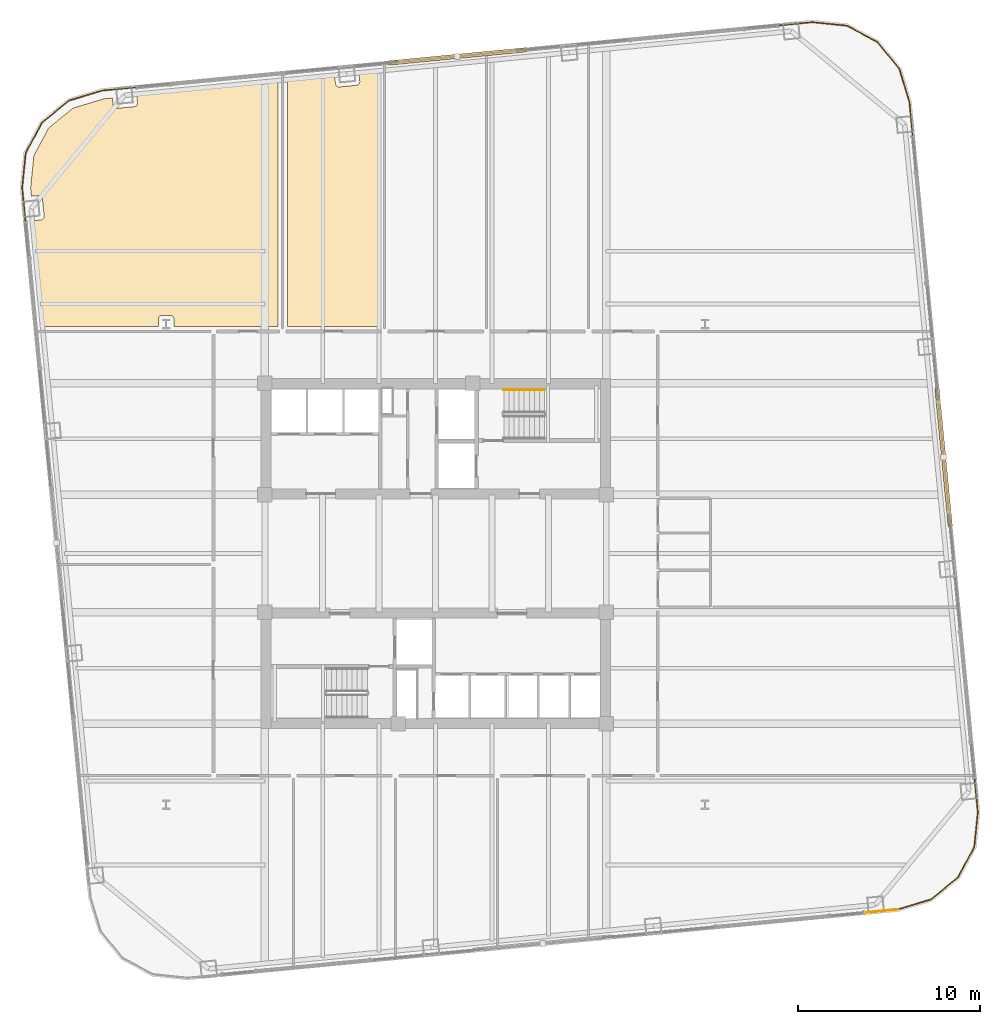
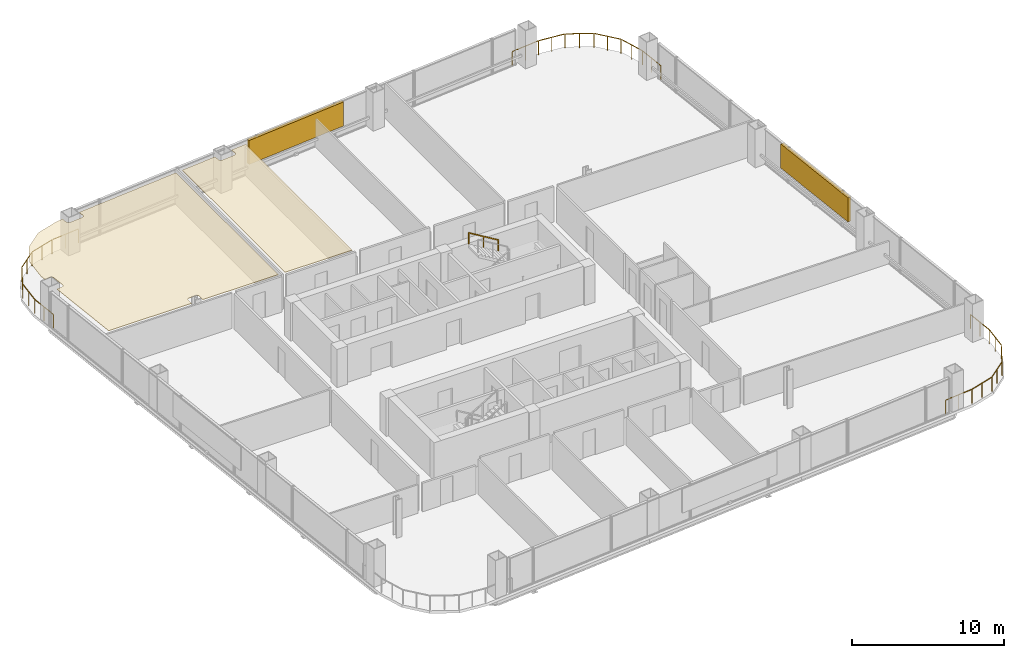
# One storey, part 34 of 34: 5 railings, 2 coverings, 2 shading devices.
"""IFC4 building model written with IfcOpenShell, lengths in metres."""

from ifc_helpers import new_model, si_unit, direction, frame, origin, origin_2d, place, context, subcontext, project, spatial, polyline, rectangle, outline, extrude, material, layer, layer_set, type_object, element, save


model = new_model("IFC4")

# Units and contexts
model_context = context("Model", 3, precision=1e-05, world=origin(), true_north=direction((0.0, 1.0)))
body_context = subcontext(model_context, "Body", "Model", "MODEL_VIEW")
ifc_project = project(units=[si_unit("LENGTHUNIT", "METRE"), si_unit("AREAUNIT", "SQUARE_METRE"), si_unit("VOLUMEUNIT", "CUBIC_METRE"), si_unit("PLANEANGLEUNIT", "RADIAN"), si_unit("MASSUNIT", "GRAM", prefix="KILO")], contexts=[model_context])

# Site, building, storey
site_placement = place(None, origin())
site = spatial("IfcSite", under=ifc_project, at=site_placement, CompositionType="ELEMENT")
building_placement = place(site_placement, origin())
building = spatial("IfcBuilding", under=site, at=building_placement, Name="Qhalaya Broadcast Tower", CompositionType="ELEMENT")
storey_placement = place(building_placement, frame((0.0, 0.0, 78.60009765625)))
storey = spatial("IfcBuildingStorey", under=building, at=storey_placement, Name="L22", CompositionType="ELEMENT", Elevation=78.60009765625)

# Coverings
ifc_material_1 = material(Name="Acoustic Mineral-Fibre Ceiling")
ifc_layer = layer(ifc_material_1, 0.0400390625, Name="Acoustic Mineral-Fibre Ceiling")
ifc_layer_set = layer_set([ifc_layer], Name="Acoustic Mineral-Fibre Ceiling")
covering_type = type_object("IfcCoveringType", Name="Acoustic Mineral-Fibre Suspended Ceiling CLG-01", PredefinedType="CEILING", material=ifc_layer_set)
covering_1_placement = place(storey_placement, frame((0.0, 0.0, 2.789794921875)))
element("IfcCovering", 1, at=covering_1_placement, inside=storey, type_object=covering_type, Name="L22 Acoustic Suspended Ceiling 01", PredefinedType="CEILING", context=body_context, shape_type="SweptSolid", body=[
    extrude(outline(polyline([(-22.06884765625, 18.885986328125), (-21.5078125, 13.06005859375), (-15.22900390625, 13.06005859375), (-15.22900390625, 13.47509765625), (-15.22802734375, 13.49462890625), (-15.22509765625, 13.513916015625), (-15.220458984375, 13.533203125), (-15.2138671875, 13.551513671875), (-15.205322265625, 13.5693359375), (-15.1953125, 13.586181640625), (-15.18359375, 13.601806640625), (-15.17041015625, 13.616455078125), (-15.156005859375, 13.629638671875), (-15.14013671875, 13.641357421875), (-15.123291015625, 13.6513671875), (-15.10546875, 13.659912109375), (-15.087158203125, 13.66650390625), (-15.068115234375, 13.671142578125), (-15.048583984375, 13.674072265625), (-15.029052734375, 13.675048828125), (-14.571044921875, 13.675048828125), (-14.551513671875, 13.674072265625), (-14.531982421875, 13.671142578125), (-14.512939453125, 13.66650390625), (-14.494384765625, 13.659912109375), (-14.476806640625, 13.6513671875), (-14.4599609375, 13.641357421875), (-14.444091796875, 13.629638671875), (-14.4296875, 13.616455078125), (-14.41650390625, 13.601806640625), (-14.40478515625, 13.586181640625), (-14.39453125, 13.5693359375), (-14.38623046875, 13.551513671875), (-14.379638671875, 13.533203125), (-14.374755859375, 13.513916015625), (-14.3720703125, 13.49462890625), (-14.37109375, 13.47509765625), (-14.37109375, 13.06005859375), (-8.659912109375, 13.06005859375), (-8.659912109375, 26.496337890625), (-16.41064453125, 25.75), (-16.373291015625, 25.36181640625), (-16.372314453125, 25.34228515625), (-16.373291015625, 25.32275390625), (-16.376220703125, 25.30322265625), (-16.381103515625, 25.2841796875), (-16.3876953125, 25.265869140625), (-16.39599609375, 25.248046875), (-16.40625, 25.231201171875), (-16.41796875, 25.215576171875), (-16.43115234375, 25.200927734375), (-16.44580078125, 25.187744140625), (-16.46142578125, 25.17626953125), (-16.478515625, 25.166015625), (-16.49609375, 25.15771484375), (-16.5146484375, 25.151123046875), (-16.53369140625, 25.146484375), (-16.552978515625, 25.1435546875), (-17.48876953125, 25.053466796875), (-17.50830078125, 25.052490234375), (-17.528076171875, 25.0537109375), (-17.54736328125, 25.056396484375), (-17.56640625, 25.061279296875), (-17.5849609375, 25.068115234375), (-17.602783203125, 25.076416015625), (-17.619384765625, 25.08642578125), (-17.63525390625, 25.098388671875), (-17.649658203125, 25.111572265625), (-17.662841796875, 25.126220703125), (-17.674560546875, 25.141845703125), (-17.6845703125, 25.15869140625), (-17.69287109375, 25.176513671875), (-17.699462890625, 25.19482421875), (-17.7041015625, 25.214111328125), (-17.70703125, 25.2333984375), (-17.744384765625, 25.62158203125), (-18.215087890625, 25.576416015625), (-19.918212890625, 25.063720703125), (-21.250244140625, 23.9755859375), (-22.064453125, 22.460205078125), (-22.242431640625, 20.69091796875), (-22.197265625, 20.219970703125), (-21.80908203125, 20.25732421875), (-21.789306640625, 20.25830078125), (-21.769775390625, 20.25732421875), (-21.75048828125, 20.25439453125), (-21.731201171875, 20.24951171875), (-21.712890625, 20.242919921875), (-21.695068359375, 20.234619140625), (-21.67822265625, 20.224365234375), (-21.66259765625, 20.212646484375), (-21.648193359375, 20.199462890625), (-21.635009765625, 20.184814453125), (-21.623291015625, 20.169189453125), (-21.61328125, 20.152099609375), (-21.60498046875, 20.134521484375), (-21.598388671875, 20.115966796875), (-21.593505859375, 20.096923828125), (-21.5908203125, 20.077392578125), (-21.50048828125, 19.141845703125), (-21.499755859375, 19.122314453125), (-21.500732421875, 19.1025390625), (-21.503662109375, 19.083251953125), (-21.50830078125, 19.064208984375), (-21.51513671875, 19.045654296875), (-21.5234375, 19.02783203125), (-21.53369140625, 19.010986328125), (-21.54541015625, 18.995361328125), (-21.55859375, 18.98095703125), (-21.5732421875, 18.9677734375), (-21.5888671875, 18.9560546875), (-21.605712890625, 18.946044921875), (-21.62353515625, 18.937744140625), (-21.64208984375, 18.93115234375), (-21.6611328125, 18.926513671875), (-21.680419921875, 18.923583984375), (-22.06884765625, 18.885986328125)])), origin(), (0.0, 0.0, 1.0), 0.0400390625),
])
covering_2_placement = place(storey_placement, frame((0.0, 0.0, 2.789794921875)))
element("IfcCovering", 2, at=covering_2_placement, inside=storey, type_object=covering_type, Name="L22 Acoustic Suspended Ceiling 02", PredefinedType="CEILING", context=body_context, shape_type="SweptSolid", body=[
    extrude(outline(polyline([(-8.139892578125, 26.54638671875), (-8.139892578125, 13.06005859375), (-3.06005859375, 13.06005859375), (-3.06005859375, 27.03564453125), (-4.200439453125, 26.92578125), (-4.1630859375, 26.53759765625), (-4.162109375, 26.51806640625), (-4.1630859375, 26.498291015625), (-4.166015625, 26.47900390625), (-4.1708984375, 26.4599609375), (-4.177490234375, 26.44140625), (-4.185791015625, 26.423583984375), (-4.196044921875, 26.406982421875), (-4.207763671875, 26.39111328125), (-4.220947265625, 26.376708984375), (-4.235595703125, 26.363525390625), (-4.251220703125, 26.351806640625), (-4.268310546875, 26.341796875), (-4.285888671875, 26.33349609375), (-4.304443359375, 26.326904296875), (-4.323486328125, 26.322265625), (-4.343017578125, 26.3193359375), (-5.278564453125, 26.229248046875), (-5.298095703125, 26.228271484375), (-5.31787109375, 26.229248046875), (-5.337158203125, 26.232177734375), (-5.356201171875, 26.237060546875), (-5.374755859375, 26.24365234375), (-5.392578125, 26.252197265625), (-5.4091796875, 26.26220703125), (-5.425048828125, 26.27392578125), (-5.439453125, 26.287109375), (-5.45263671875, 26.3017578125), (-5.46435546875, 26.3173828125), (-5.474365234375, 26.33447265625), (-5.482666015625, 26.352294921875), (-5.4892578125, 26.37060546875), (-5.493896484375, 26.3896484375), (-5.496826171875, 26.4091796875), (-5.5341796875, 26.79736328125), (-8.139892578125, 26.54638671875)])), origin(), (0.0, 0.0, 1.0), 0.0400390625),
])

# Railings
ifc_material_2 = material(Name="Powder-Coated Galvanised Steel", Category="steel")
railing_type_1 = type_object("IfcRailingType", Name="Stair Wall Handrail 900", PredefinedType="HANDRAIL", material=ifc_material_2)
railing_1_placement = place(storey_placement, frame((5.989990234375, 9.590087890625, 1.6943359375)))
element("IfcRailing", 3, at=railing_1_placement, inside=storey, type_object=railing_type_1, Name="L22 ST-1 Stair Handrail 2", PredefinedType="HANDRAIL", context=body_context, shape_type="SweptSolid", body=[
    extrude(rectangle(XDim=0.048095703125, YDim=0.048095703125, at=origin_2d()), frame((0.0, 0.0, 0.8759765625), z_axis=(-0.855553338991, 0.0, 0.51771467445), x_axis=(0.0, -1.0, 0.0)), (0.0, 0.0, 1.0), 2.6181640625),
    extrude(rectangle(XDim=0.0419921875, YDim=0.0419921875, at=origin_2d()), origin(), (0.0, 0.0, 1.0), 0.849853515625),
    extrude(rectangle(XDim=0.0419921875, YDim=0.0419921875, at=origin_2d()), frame((-1.1201171875, 0.0, 0.677734375)), (0.0, 0.0, 1.0), 0.849853515625),
    extrude(rectangle(XDim=0.0419921875, YDim=0.0419921875, at=origin_2d()), frame((-2.239990234375, 0.0, 1.35546875)), (0.0, 0.0, 1.0), 0.849853515625),
])
railing_type_2 = type_object("IfcRailingType", Name="Terrace, Sky-Pool & Lookout Glass Balustrade 1150", PredefinedType="BALUSTRADE", material=ifc_material_2)
railing_2_placement = place(storey_placement, frame((25.38427734375, -18.949951171875, 0.0)))
element("IfcRailing", 4, at=railing_2_placement, inside=storey, type_object=railing_type_2, Name="L22 Rounded Corner Perimeter Guard 01", PredefinedType="BALUSTRADE", context=body_context, shape_type="SweptSolid", body=[
    extrude(rectangle(XDim=0.048095703125, YDim=0.048095703125, at=origin_2d()), frame((0.0, 0.0, 1.1259765625), z_axis=(-0.995402268864, -0.095782687057, 0.0), x_axis=(0.095782687057, -0.995402268864, 0.0)), (0.0, 0.0, 1.0), 2.1181640625),
    extrude(rectangle(XDim=0.0419921875, YDim=0.0419921875, at=origin_2d()), origin(), (0.0, 0.0, 1.0), 1.099853515625),
    extrude(rectangle(XDim=0.0419921875, YDim=0.0419921875, at=origin_2d()), frame((-1.05419921875, -0.1015625, 0.0)), (0.0, 0.0, 1.0), 1.099853515625),
    extrude(rectangle(XDim=0.0419921875, YDim=0.0419921875, at=origin_2d()), frame((-2.1083984375, -0.202880859375, 0.0)), (0.0, 0.0, 1.0), 1.099853515625),
])
railing_3_placement = place(storey_placement, frame((-22.501708984375, 18.583251953125, 0.0)))
element("IfcRailing", 5, at=railing_3_placement, inside=storey, type_object=railing_type_2, Name="L22 Rounded Corner Perimeter Guard 03", PredefinedType="BALUSTRADE", context=body_context, shape_type="SweptSolid", body=[
    extrude(rectangle(XDim=0.048095703125, YDim=0.048095703125, at=origin_2d()), frame((0.0, 0.0, 1.1259765625), z_axis=(-0.095782687057, 0.995402268864, 0.0), x_axis=(-0.995402268864, -0.095782687057, 0.0)), (0.0, 0.0, 1.0), 2.08935546875),
    extrude(rectangle(XDim=0.048095703125, YDim=0.048095703125, at=origin_2d()), frame((-0.199951171875, 2.13720703125, 1.1259765625), z_axis=(0.100071682341, 0.994980230152, 0.0), x_axis=(-0.994980230152, 0.100071682341, 0.0)), (0.0, 0.0, 1.0), 1.857421875),
    extrude(rectangle(XDim=0.048095703125, YDim=0.048095703125, at=origin_2d()), frame((0.00244140625, 4.039306640625, 1.1259765625), z_axis=(0.473342342286, 0.880878554058, 0.0), x_axis=(-0.880878554058, 0.473342342286, 0.0)), (0.0, 0.0, 1.0), 1.845458984375),
    extrude(rectangle(XDim=0.048095703125, YDim=0.048095703125, at=origin_2d()), frame((0.912109375, 5.708740234375, 1.1259765625), z_axis=(0.774420039683, 0.632671796541, 0.0), x_axis=(-0.632671796541, 0.774420039683, 0.0)), (0.0, 0.0, 1.0), 1.845458984375),
    extrude(rectangle(XDim=0.048095703125, YDim=0.048095703125, at=origin_2d()), frame((2.39111328125, 6.90283203125, 1.1259765625), z_axis=(0.95756627332, 0.288213171456, 0.0), x_axis=(-0.288213171456, 0.95756627332, 0.0)), (0.0, 0.0, 1.0), 1.857421875),
    extrude(rectangle(XDim=0.048095703125, YDim=0.048095703125, at=origin_2d()), frame((4.226318359375, 7.44921875, 1.1259765625), z_axis=(0.995391273094, 0.095896889673, 0.0), x_axis=(-0.095896889673, 0.995391273094, 0.0)), (0.0, 0.0, 1.0), 2.08935546875),
    extrude(rectangle(XDim=0.0419921875, YDim=0.0419921875, at=origin_2d()), origin(), (0.0, 0.0, 1.0), 1.099853515625),
    extrude(rectangle(XDim=0.0419921875, YDim=0.0419921875, at=origin_2d()), frame((-0.1015625, 1.05419921875, 0.0)), (0.0, 0.0, 1.0), 1.099853515625),
    extrude(rectangle(XDim=0.0419921875, YDim=0.0419921875, at=origin_2d()), frame((-0.202880859375, 2.1083984375, 0.0)), (0.0, 0.0, 1.0), 1.099853515625),
    extrude(rectangle(XDim=0.0419921875, YDim=0.0419921875, at=origin_2d()), frame((-0.10693359375, 3.06103515625, 0.0)), (0.0, 0.0, 1.0), 1.099853515625),
    extrude(rectangle(XDim=0.0419921875, YDim=0.0419921875, at=origin_2d()), frame((-0.01123046875, 4.013916015625, 0.0)), (0.0, 0.0, 1.0), 1.099853515625),
    extrude(rectangle(XDim=0.0419921875, YDim=0.0419921875, at=origin_2d()), frame((0.439208984375, 4.85205078125, 0.0)), (0.0, 0.0, 1.0), 1.099853515625),
    extrude(rectangle(XDim=0.0419921875, YDim=0.0419921875, at=origin_2d()), frame((0.8896484375, 5.6904296875, 0.0)), (0.0, 0.0, 1.0), 1.099853515625),
    extrude(rectangle(XDim=0.0419921875, YDim=0.0419921875, at=origin_2d()), frame((1.62646484375, 6.29248046875, 0.0)), (0.0, 0.0, 1.0), 1.099853515625),
    extrude(rectangle(XDim=0.0419921875, YDim=0.0419921875, at=origin_2d()), frame((2.363525390625, 6.89453125, 0.0)), (0.0, 0.0, 1.0), 1.099853515625),
    extrude(rectangle(XDim=0.0419921875, YDim=0.0419921875, at=origin_2d()), frame((3.280517578125, 7.17041015625, 0.0)), (0.0, 0.0, 1.0), 1.099853515625),
    extrude(rectangle(XDim=0.0419921875, YDim=0.0419921875, at=origin_2d()), frame((4.197509765625, 7.446533203125, 0.0)), (0.0, 0.0, 1.0), 1.099853515625),
    extrude(rectangle(XDim=0.0419921875, YDim=0.0419921875, at=origin_2d()), frame((5.251708984375, 7.548095703125, 0.0)), (0.0, 0.0, 1.0), 1.099853515625),
    extrude(rectangle(XDim=0.0419921875, YDim=0.0419921875, at=origin_2d()), frame((6.305908203125, 7.649658203125, 0.0)), (0.0, 0.0, 1.0), 1.099853515625),
])
railing_4_placement = place(storey_placement, frame((18.583251953125, 29.581787109375, 0.0)))
element("IfcRailing", 6, at=railing_4_placement, inside=storey, type_object=railing_type_2, Name="L22 Rounded Corner Perimeter Guard 04", PredefinedType="BALUSTRADE", context=body_context, shape_type="SweptSolid", body=[
    extrude(rectangle(XDim=0.048095703125, YDim=0.048095703125, at=origin_2d()), frame((0.0, 0.0, 1.1259765625), z_axis=(0.995402268864, 0.095782687057, 0.0), x_axis=(-0.095782687057, 0.995402268864, 0.0)), (0.0, 0.0, 1.0), 2.08935546875),
    extrude(rectangle(XDim=0.048095703125, YDim=0.048095703125, at=origin_2d()), frame((2.13720703125, 0.199951171875, 1.1259765625), z_axis=(0.994980230152, -0.100071682341, 0.0), x_axis=(0.100071682341, 0.994980230152, 0.0)), (0.0, 0.0, 1.0), 1.857421875),
    extrude(rectangle(XDim=0.048095703125, YDim=0.048095703125, at=origin_2d()), frame((4.039306640625, -0.00244140625, 1.1259765625), z_axis=(0.880878554058, -0.473342342286, 0.0), x_axis=(0.473342342286, 0.880878554058, 0.0)), (0.0, 0.0, 1.0), 1.845458984375),
    extrude(rectangle(XDim=0.048095703125, YDim=0.048095703125, at=origin_2d()), frame((5.708740234375, -0.912109375, 1.1259765625), z_axis=(0.632671796541, -0.774420039683, 0.0), x_axis=(0.774420039683, 0.632671796541, 0.0)), (0.0, 0.0, 1.0), 1.845458984375),
    extrude(rectangle(XDim=0.048095703125, YDim=0.048095703125, at=origin_2d()), frame((6.90283203125, -2.39111328125, 1.1259765625), z_axis=(0.288213171456, -0.95756627332, 0.0), x_axis=(0.95756627332, 0.288213171456, 0.0)), (0.0, 0.0, 1.0), 1.857421875),
    extrude(rectangle(XDim=0.048095703125, YDim=0.048095703125, at=origin_2d()), frame((7.44921875, -4.226318359375, 1.1259765625), z_axis=(0.095896889673, -0.995391273094, 0.0), x_axis=(0.995391273094, 0.095896889673, 0.0)), (0.0, 0.0, 1.0), 2.08935546875),
    extrude(rectangle(XDim=0.0419921875, YDim=0.0419921875, at=origin_2d()), origin(), (0.0, 0.0, 1.0), 1.099853515625),
    extrude(rectangle(XDim=0.0419921875, YDim=0.0419921875, at=origin_2d()), frame((1.05419921875, 0.1015625, 0.0)), (0.0, 0.0, 1.0), 1.099853515625),
    extrude(rectangle(XDim=0.0419921875, YDim=0.0419921875, at=origin_2d()), frame((2.1083984375, 0.202880859375, 0.0)), (0.0, 0.0, 1.0), 1.099853515625),
    extrude(rectangle(XDim=0.0419921875, YDim=0.0419921875, at=origin_2d()), frame((3.06103515625, 0.10693359375, 0.0)), (0.0, 0.0, 1.0), 1.099853515625),
    extrude(rectangle(XDim=0.0419921875, YDim=0.0419921875, at=origin_2d()), frame((4.013916015625, 0.01123046875, 0.0)), (0.0, 0.0, 1.0), 1.099853515625),
    extrude(rectangle(XDim=0.0419921875, YDim=0.0419921875, at=origin_2d()), frame((4.85205078125, -0.439208984375, 0.0)), (0.0, 0.0, 1.0), 1.099853515625),
    extrude(rectangle(XDim=0.0419921875, YDim=0.0419921875, at=origin_2d()), frame((5.6904296875, -0.8896484375, 0.0)), (0.0, 0.0, 1.0), 1.099853515625),
    extrude(rectangle(XDim=0.0419921875, YDim=0.0419921875, at=origin_2d()), frame((6.29248046875, -1.62646484375, 0.0)), (0.0, 0.0, 1.0), 1.099853515625),
    extrude(rectangle(XDim=0.0419921875, YDim=0.0419921875, at=origin_2d()), frame((6.89453125, -2.363525390625, 0.0)), (0.0, 0.0, 1.0), 1.099853515625),
    extrude(rectangle(XDim=0.0419921875, YDim=0.0419921875, at=origin_2d()), frame((7.17041015625, -3.280517578125, 0.0)), (0.0, 0.0, 1.0), 1.099853515625),
    extrude(rectangle(XDim=0.0419921875, YDim=0.0419921875, at=origin_2d()), frame((7.446533203125, -4.197509765625, 0.0)), (0.0, 0.0, 1.0), 1.099853515625),
    extrude(rectangle(XDim=0.0419921875, YDim=0.0419921875, at=origin_2d()), frame((7.548095703125, -5.251708984375, 0.0)), (0.0, 0.0, 1.0), 1.099853515625),
    extrude(rectangle(XDim=0.0419921875, YDim=0.0419921875, at=origin_2d()), frame((7.649658203125, -6.305908203125, 0.0)), (0.0, 0.0, 1.0), 1.099853515625),
])
railing_5_placement = place(storey_placement, frame((29.581787109375, -11.50341796875, 0.0)))
element("IfcRailing", 7, at=railing_5_placement, inside=storey, type_object=railing_type_2, Name="L22 Rounded Corner Perimeter Guard 05", PredefinedType="BALUSTRADE", context=body_context, shape_type="SweptSolid", body=[
    extrude(rectangle(XDim=0.048095703125, YDim=0.048095703125, at=origin_2d()), frame((0.0, 0.0, 1.1259765625), z_axis=(0.095782687057, -0.995402268864, 0.0), x_axis=(0.995402268864, 0.095782687057, 0.0)), (0.0, 0.0, 1.0), 2.08935546875),
    extrude(rectangle(XDim=0.048095703125, YDim=0.048095703125, at=origin_2d()), frame((0.199951171875, -2.13720703125, 1.1259765625), z_axis=(-0.100084377028, -0.994978953282, 0.0), x_axis=(0.994978953282, -0.100084377028, 0.0)), (0.0, 0.0, 1.0), 1.857177734375),
    extrude(rectangle(XDim=0.048095703125, YDim=0.048095703125, at=origin_2d()), frame((-0.00244140625, -4.0390625, 1.1259765625), z_axis=(-0.473288861424, -0.880907290044, 0.0), x_axis=(0.880907290044, -0.473288861424, 0.0)), (0.0, 0.0, 1.0), 1.845703125),
    extrude(rectangle(XDim=0.048095703125, YDim=0.048095703125, at=origin_2d()), frame((-0.912109375, -5.708740234375, 1.1259765625), z_axis=(-0.774420039683, -0.632671796541, 0.0), x_axis=(0.632671796541, -0.774420039683, 0.0)), (0.0, 0.0, 1.0), 1.845458984375),
    extrude(rectangle(XDim=0.048095703125, YDim=0.048095703125, at=origin_2d()), frame((-2.39111328125, -6.90283203125, 1.1259765625), z_axis=(-0.95756627332, -0.288213171456, 0.0), x_axis=(0.288213171456, -0.95756627332, 0.0)), (0.0, 0.0, 1.0), 1.886474609375),
    extrude(rectangle(XDim=0.0419921875, YDim=0.0419921875, at=origin_2d()), origin(), (0.0, 0.0, 1.0), 1.099853515625),
    extrude(rectangle(XDim=0.0419921875, YDim=0.0419921875, at=origin_2d()), frame((0.1015625, -1.05419921875, 0.0)), (0.0, 0.0, 1.0), 1.099853515625),
    extrude(rectangle(XDim=0.0419921875, YDim=0.0419921875, at=origin_2d()), frame((0.202880859375, -2.1083984375, 0.0)), (0.0, 0.0, 1.0), 1.099853515625),
    extrude(rectangle(XDim=0.0419921875, YDim=0.0419921875, at=origin_2d()), frame((0.10693359375, -3.06103515625, 0.0)), (0.0, 0.0, 1.0), 1.099853515625),
    extrude(rectangle(XDim=0.0419921875, YDim=0.0419921875, at=origin_2d()), frame((0.01123046875, -4.013671875, 0.0)), (0.0, 0.0, 1.0), 1.099853515625),
    extrude(rectangle(XDim=0.0419921875, YDim=0.0419921875, at=origin_2d()), frame((-0.439208984375, -4.85205078125, 0.0)), (0.0, 0.0, 1.0), 1.099853515625),
    extrude(rectangle(XDim=0.0419921875, YDim=0.0419921875, at=origin_2d()), frame((-0.8896484375, -5.6904296875, 0.0)), (0.0, 0.0, 1.0), 1.099853515625),
    extrude(rectangle(XDim=0.0419921875, YDim=0.0419921875, at=origin_2d()), frame((-1.62646484375, -6.29248046875, 0.0)), (0.0, 0.0, 1.0), 1.099853515625),
    extrude(rectangle(XDim=0.0419921875, YDim=0.0419921875, at=origin_2d()), frame((-2.363525390625, -6.89453125, 0.0)), (0.0, 0.0, 1.0), 1.099853515625),
    extrude(rectangle(XDim=0.0419921875, YDim=0.0419921875, at=origin_2d()), frame((-3.280517578125, -7.17041015625, 0.0)), (0.0, 0.0, 1.0), 1.099853515625),
    extrude(rectangle(XDim=0.0419921875, YDim=0.0419921875, at=origin_2d()), frame((-4.197509765625, -7.446533203125, 0.0)), (0.0, 0.0, 1.0), 1.099853515625),
])

# Shading devices
ifc_material_3 = material(Name="Fired Architectural Terracotta", Category="masonry")
shading_device_type = type_object("IfcShadingDeviceType", Name="Terracotta Baguette Solar Screen Assembly TBS-01", PredefinedType="USERDEFINED", material=ifc_material_3)
for number, where, z_axis, x_axis, name in (
    (8, (27.9072265625, 5.88623046875, 0.79248046875), (0.0, 0.0, 1.0), (-0.09584575252, 0.995396198367, 0.0), "L22 Fired Terracotta Baguette Screen E"),
    (9, (1.193603515625, 27.9072265625, 0.79248046875), (0.0, 0.0, 1.0), (-0.995396198367, -0.09584575252, 0.0), "L22 Fired Terracotta Baguette Screen N"),
):
    element("IfcShadingDevice", number, at=place(storey_placement, frame(where, z_axis=z_axis, x_axis=x_axis)), inside=storey, type_object=shading_device_type, Name=name, ObjectType="BAGUETTE", PredefinedType="USERDEFINED", context=body_context, shape_type="SweptSolid", body=[
        extrude(rectangle(XDim=7.60009765625, YDim=0.239990234375, at=origin_2d()), origin(), (0.0, 0.0, 1.0), 1.924072265625),
    ])

save(model, "model.ifc")
